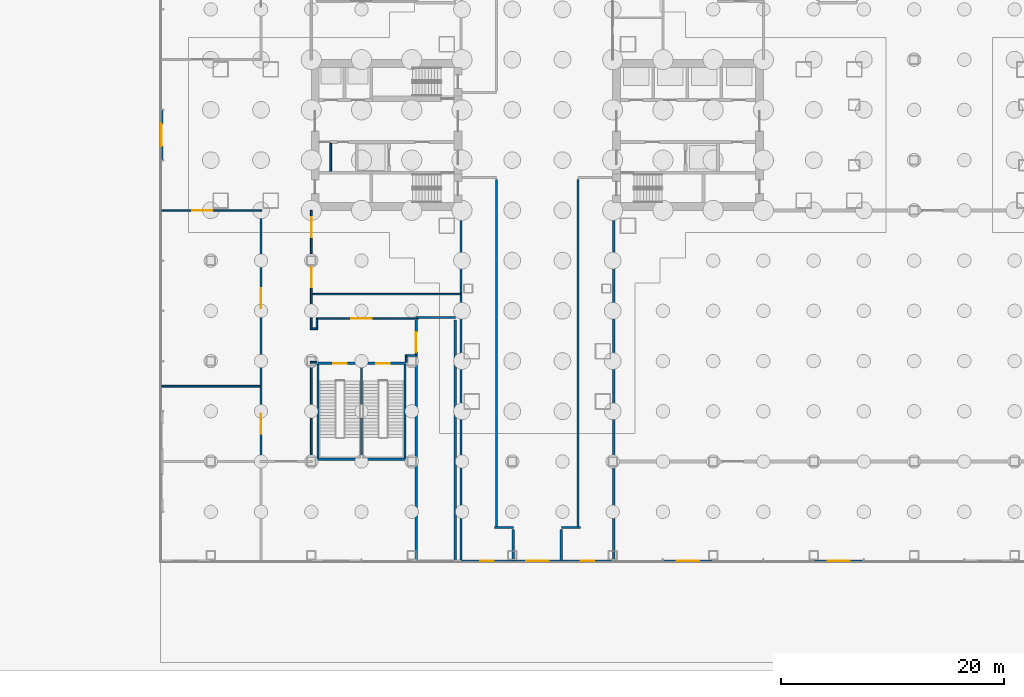
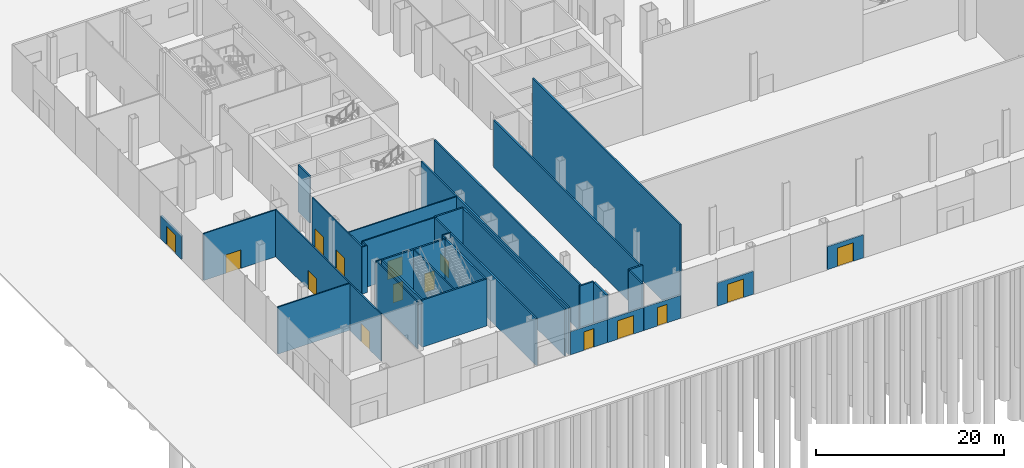
# One storey, part 17 of 37: 35 walls, 15 doors, 15 openings.
"""IFC4 building model written with IfcOpenShell, lengths in metres."""

import ifcopenshell
import ifcopenshell.guid

model = None  # the IFC model being written
_history = None  # IfcOwnerHistory: only IFC2X3 demands one
_inside = {}  # id of a spatial element -> (the spatial element, [elements in it])
_under = {}  # id of a project, library or spatial element -> (it, [spatial elements below it])
_declared = {}  # id of a project -> (the project, [libraries it declares])
_typed = {}  # id of a type object -> (the type object, [elements of that type])
_made_of = {}  # id of a material, layer set ... -> (it, [elements and type objects made of it])


def new_model(schema):
    """Start an empty IFC model of exactly this schema.

    Asked for "IFC4X3", IfcOpenShell would pick the latest addendum, in which some entities
    have other attributes; the version numbers below select the first issue.
    IFC2X3 requires an IfcOwnerHistory on every rooted entity: one is made here for all.
    """
    global model, _history
    if schema == "IFC4X3":
        model = ifcopenshell.file(schema_version=(4, 3, 0, 0))
    else:
        model = ifcopenshell.file(schema=schema)
    _inside.clear()
    _under.clear()
    _declared.clear()
    _typed.clear()
    _made_of.clear()
    _history = None
    if model.schema == "IFC2X3":
        org = make("IfcOrganization", Name="unknown")
        user = make(
            "IfcPersonAndOrganization",
            ThePerson=make("IfcPerson", FamilyName="unknown"),
            TheOrganization=org,
        )
        app = make(
            "IfcApplication",
            ApplicationDeveloper=org,
            Version="unknown",
            ApplicationFullName="unknown",
            ApplicationIdentifier="unknown",
        )
        _history = make(
            "IfcOwnerHistory",
            OwningUser=user,
            OwningApplication=app,
            ChangeAction="ADDED",
            CreationDate=0,
        )
    return model


def make(cls, **values):
    """One entity of the class cls with the attributes given. An attribute that is None is left unset."""
    return model.create_entity(
        cls, **{name: value for name, value in values.items() if value is not None}
    )


def rooted(cls, **values):
    """An entity with a GlobalId (a new one), such as an element, a storey or a relation."""
    return make(cls, GlobalId=ifcopenshell.guid.new(), OwnerHistory=_history, **values)


def si_unit(unit_type, name, prefix=None):
    """IfcSIUnit, for example si_unit("LENGTHUNIT", "METRE", prefix="MILLI")."""
    return make("IfcSIUnit", UnitType=unit_type, Prefix=prefix, Name=name)


def assignment(units):
    """IfcUnitAssignment: the units of a project."""
    return None if units is None else make("IfcUnitAssignment", Units=units)


def point(xyz):
    """IfcCartesianPoint."""
    return None if xyz is None else make("IfcCartesianPoint", Coordinates=xyz)


def direction(xyz):
    """IfcDirection."""
    return None if xyz is None else make("IfcDirection", DirectionRatios=xyz)


def frame(location, z_axis=None, x_axis=None):
    """IfcAxis2Placement3D, a coordinate frame: its origin and axes. An axis left out is left unset."""
    return make(
        "IfcAxis2Placement3D",
        Location=point(location),
        Axis=direction(z_axis),
        RefDirection=direction(x_axis),
    )


def frame_2d(location, x_axis=None):
    """IfcAxis2Placement2D, a coordinate frame in the plane: its origin and x axis."""
    return make(
        "IfcAxis2Placement2D", Location=point(location), RefDirection=direction(x_axis)
    )


def origin():
    """The frame at (0, 0, 0) with its axes left unset."""
    return frame((0.0, 0.0, 0.0))


def place(relative_to, where):
    """IfcLocalPlacement: puts the frame where relative to a parent placement (None: the world)."""
    return make(
        "IfcLocalPlacement", PlacementRelTo=relative_to, RelativePlacement=where
    )


def context(
    kind, dimensions, precision=None, world=None, true_north=None, identifier=None
):
    """IfcGeometricRepresentationContext, for example the 3D "Model" context."""
    return make(
        "IfcGeometricRepresentationContext",
        ContextIdentifier=identifier,
        ContextType=kind,
        CoordinateSpaceDimension=dimensions,
        Precision=precision,
        WorldCoordinateSystem=world,
        TrueNorth=true_north,
    )


def subcontext(parent, identifier, kind, view, scale=None):
    """IfcGeometricRepresentationSubContext, for example "Body" below "Model"."""
    return make(
        "IfcGeometricRepresentationSubContext",
        ContextIdentifier=identifier,
        ContextType=kind,
        ParentContext=parent,
        TargetScale=scale,
        TargetView=view,
    )


def project(units=None, contexts=None):
    """IfcProject with its units and contexts."""
    return rooted(
        "IfcProject",
        Name="project",
        RepresentationContexts=contexts,
        UnitsInContext=assignment(units),
    )


def spatial(cls, under=None, at=None, **own):
    """A site, building, storey or space (cls), placed at a placement, below another one or the project."""
    s = rooted(cls, ObjectPlacement=at, **own)
    if under is not None:
        _under.setdefault(under.id(), (under, []))[1].append(s)
    return s


def profile(cls, at=None, kind="AREA", **sizes):
    """A parametric profile (cls). Its sizes go by their IFC names, for example OverallWidth=200.0."""
    return make(cls, ProfileType=kind, Position=at, **sizes)


def rectangle(**sizes):
    """IfcRectangleProfileDef."""
    return profile("IfcRectangleProfileDef", **sizes)


def extrude(swept, where, along, depth):
    """IfcExtrudedAreaSolid: the profile swept, set in the frame where, extruded along a direction by depth."""
    return make(
        "IfcExtrudedAreaSolid",
        SweptArea=swept,
        Position=where,
        ExtrudedDirection=direction(along),
        Depth=depth,
    )


def shape(context_of_items, identifier, shape_type, items):
    """IfcShapeRepresentation: the items that make up one representation, for example the "Body"."""
    return make(
        "IfcShapeRepresentation",
        ContextOfItems=context_of_items,
        RepresentationIdentifier=identifier,
        RepresentationType=shape_type,
        Items=items,
    )


def material(Name=None, Category=None):
    """IfcMaterial."""
    return make("IfcMaterial", Name=Name, Category=Category)


def layer(
    of_material, thickness, ventilated=None, Name=None, Category=None, Priority=None
):
    """IfcMaterialLayer: one layer of a wall or slab, of a material (None: an air gap)."""
    return make(
        "IfcMaterialLayer",
        Material=of_material,
        LayerThickness=thickness,
        IsVentilated=ventilated,
        Name=Name,
        Category=Category,
        Priority=Priority,
    )


def layer_set(layers, Name=None):
    """IfcMaterialLayerSet."""
    return make("IfcMaterialLayerSet", MaterialLayers=layers, LayerSetName=Name)


def made_of(thing, what):
    """Note that an element or type object is made of a material, layer set ...; save() writes the relation."""
    if what is not None:
        _made_of.setdefault(what.id(), (what, []))[1].append(thing)
    return thing


def type_object(cls, material=None, **own):
    """A type object (cls), such as IfcWallType, which elements share."""
    return made_of(rooted(cls, **own), material)


def element(
    cls,
    number,
    at=None,
    inside=None,
    cuts=None,
    type_object=None,
    material=None,
    context=None,
    identifier="Body",
    shape_type=None,
    held_by="IfcProductDefinitionShape",
    body=None,
    shapes=None,
    **own,
):
    """One element of the class cls, such as IfcWall. Its Tag is "e" and its number.

    at: its placement. inside: the storey or other place that contains it. cuts: it is an
    opening in that element (IfcRelVoidsElement). A single representation is given by context,
    identifier, shape_type and body (its items); several are given by shapes. held_by: the class
    of the entity that holds the representations. save() writes the other relations.
    """
    e = rooted(cls, Tag="e%d" % number, ObjectPlacement=at, **own)
    if body is not None:
        shapes = [shape(context, identifier, shape_type, body)]
    if shapes is not None:
        e.Representation = make(held_by, Representations=shapes)
    if inside is not None:
        _inside.setdefault(inside.id(), (inside, []))[1].append(e)
    if cuts is not None:
        rooted(
            "IfcRelVoidsElement", RelatingBuildingElement=cuts, RelatedOpeningElement=e
        )
    if type_object is not None:
        _typed.setdefault(type_object.id(), (type_object, []))[1].append(e)
    return made_of(e, material)


def fill(opening, filler):
    """IfcRelFillsElement: the door or window that sits in an opening."""
    return rooted(
        "IfcRelFillsElement",
        RelatingOpeningElement=opening,
        RelatedBuildingElement=filler,
    )


def aggregate(whole, parts):
    """IfcRelAggregates: a whole, such as a stair, and the parts it consists of."""
    return rooted("IfcRelAggregates", RelatingObject=whole, RelatedObjects=parts)


def save(model, path):
    """Write the relations noted so far, then the file.

    IfcRelAggregates (storeys below a building ...), IfcRelContainedInSpatialStructure (elements
    in a storey), IfcRelDefinesByType, IfcRelAssociatesMaterial and IfcRelDeclares: one each for
    every whole, place, type object, material and project.
    """
    for whole, parts in _under.values():
        aggregate(whole, parts)
    for where, things in _inside.values():
        rooted(
            "IfcRelContainedInSpatialStructure",
            RelatedElements=things,
            RelatingStructure=where,
        )
    for kind, things in _typed.values():
        rooted("IfcRelDefinesByType", RelatedObjects=things, RelatingType=kind)
    for what, things in _made_of.values():
        rooted("IfcRelAssociatesMaterial", RelatedObjects=things, RelatingMaterial=what)
    for by, libraries in _declared.values():
        rooted("IfcRelDeclares", RelatingContext=by, RelatedDefinitions=libraries)
    model.write(path)


model = new_model("IFC4")

# Units and contexts
model_context = context("Model", 3, precision=1e-05, world=origin(), true_north=direction((0.0, 1.0)))
body_context = subcontext(model_context, "Body", "Model", "MODEL_VIEW")
ifc_project = project(units=[si_unit("LENGTHUNIT", "METRE"), si_unit("AREAUNIT", "SQUARE_METRE"), si_unit("VOLUMEUNIT", "CUBIC_METRE"), si_unit("PLANEANGLEUNIT", "RADIAN"), si_unit("MASSUNIT", "GRAM", prefix="KILO")], contexts=[model_context])

# Site, building, storey
site_placement = place(None, origin())
site = spatial("IfcSite", under=ifc_project, at=site_placement, CompositionType="ELEMENT")
building_placement = place(site_placement, origin())
building = spatial("IfcBuilding", under=site, at=building_placement, Name="Shamsa Quay Exchange Towers", CompositionType="ELEMENT")
storey_placement = place(building_placement, origin())
storey = spatial("IfcBuildingStorey", under=building, at=storey_placement, Name="L00", CompositionType="ELEMENT", Elevation=0.0)

# Wall, opening, door
ifc_material_1 = material(Name="Aluminium EN AW-6063 T6, black anodised, with black enamelled glass infill", Category="aluminium")
ifc_layer_1 = layer(ifc_material_1, 0.199951171875)
ifc_layer_set_1 = layer_set([ifc_layer_1], Name="ENTRANCE DOOR BAY WALL 200")
wall_type_1 = type_object("IfcWallType", Name="ENTRANCE DOOR BAY WALL 200", PredefinedType="SOLIDWALL", material=ifc_layer_set_1)
wall_1_placement = place(storey_placement, frame((-67.39990234375, -2.2099609375, 0.0), z_axis=(0.0, 0.0, 1.0), x_axis=(0.0, 1.0, 0.0)))
wall_1 = element("IfcWall", 1, at=wall_1_placement, inside=storey, type_object=wall_type_1, Name="Entrance bay Entrance 1", PredefinedType="SOLIDWALL", context=body_context, shape_type="SweptSolid", body=[
    extrude(rectangle(XDim=4.419921875, YDim=0.199951171875, at=frame_2d((2.2099609375, 0.0))), origin(), (0.0, 0.0, 1.0), 3.0),
])
opening_1_placement = place(wall_1_placement, frame((1.2099609375, 0.0, 0.0)))
opening_1 = element("IfcOpeningElement", 2, at=opening_1_placement, cuts=wall_1, Name="Opening XD019", PredefinedType="OPENING", context=body_context, shape_type="SweptSolid", body=[
    extrude(rectangle(XDim=2.0, YDim=2.39990234375, at=frame_2d((1.0, 1.199951171875))), frame((0.0, 0.10986328125, 0.0), z_axis=(0.0, -1.0, 0.0), x_axis=(1.0, 0.0, 0.0)), (0.0, 0.0, 1.0), 0.219970703125),
])
ifc_material_2 = material(Name="Aluminium EN AW-6063 T6, black anodised, with laminated glass leaves", Category="aluminium")
door_type_1 = type_object("IfcDoorType", Name="ENTRANCE DOOR 2000x2400", OperationType="DOUBLE_DOOR_SINGLE_SWING", PredefinedType="DOOR", material=ifc_material_2)
door_1_placement = place(opening_1_placement, origin())
door_1 = element("IfcDoor", 3, at=door_1_placement, inside=storey, type_object=door_type_1, Name="Entrance door Entrance 1", OperationType="DOUBLE_DOOR_SINGLE_SWING", OverallHeight=2.39990234375, OverallWidth=2.0, PredefinedType="DOOR", context=body_context, shape_type="SweptSolid", body=[
    extrude(rectangle(XDim=2.0, YDim=2.39990234375, at=frame_2d((1.0, 1.199951171875))), frame((0.0, 0.02490234375, 0.0), z_axis=(0.0, -1.0, 0.0), x_axis=(1.0, 0.0, 0.0)), (0.0, 0.0, 1.0), 0.050048828125),
])
fill(opening_1, door_1)

wall_2_placement = place(storey_placement, frame((-26.992919921875, -38.14990234375, 0.0), z_axis=(0.0, 0.0, 1.0), x_axis=(-1.0, 0.0, 0.0)))
wall_2 = element("IfcWall", 4, at=wall_2_placement, inside=storey, type_object=wall_type_1, Name="Entrance bay Service door 1", PredefinedType="SOLIDWALL", context=body_context, shape_type="SweptSolid", body=[
    extrude(rectangle(XDim=4.51416015625, YDim=0.199951171875, at=frame_2d((2.257080078125, 0.0))), origin(), (0.0, 0.0, 1.0), 3.0),
])
opening_2_placement = place(wall_2_placement, frame((1.656982421875, 0.0, 0.0)))
opening_2 = element("IfcOpeningElement", 5, at=opening_2_placement, cuts=wall_2, Name="Opening XD023", PredefinedType="OPENING", context=body_context, shape_type="SweptSolid", body=[
    extrude(rectangle(XDim=1.199951171875, YDim=2.39990234375, at=frame_2d((0.60009765625, 1.199951171875))), frame((0.0, 0.10986328125, 0.0), z_axis=(0.0, -1.0, 0.0), x_axis=(1.0, 0.0, 0.0)), (0.0, 0.0, 1.0), 0.219970703125),
])
door_type_2 = type_object("IfcDoorType", Name="SERVICE DOOR 1200x2400", OperationType="SINGLE_SWING_RIGHT", PredefinedType="DOOR", material=ifc_material_2)
door_2_placement = place(opening_2_placement, origin())
door_2 = element("IfcDoor", 6, at=door_2_placement, inside=storey, type_object=door_type_2, Name="Service door Service door 1", OperationType="SINGLE_SWING_RIGHT", OverallHeight=2.39990234375, OverallWidth=1.199951171875, PredefinedType="DOOR", context=body_context, shape_type="SweptSolid", body=[
    extrude(rectangle(XDim=1.199951171875, YDim=2.39990234375, at=frame_2d((0.60009765625, 1.199951171875))), frame((0.0, 0.02490234375, 0.0), z_axis=(0.0, -1.0, 0.0), x_axis=(1.0, 0.0, 0.0)), (0.0, 0.0, 1.0), 0.050048828125),
])
fill(opening_2, door_2)

wall_3_placement = place(storey_placement, frame((-35.992919921875, -38.14990234375, 0.0), z_axis=(0.0, 0.0, 1.0), x_axis=(-1.0, 0.0, 0.0)))
wall_3 = element("IfcWall", 7, at=wall_3_placement, inside=storey, type_object=wall_type_1, Name="Entrance bay Service door 2", PredefinedType="SOLIDWALL", context=body_context, shape_type="SweptSolid", body=[
    extrude(rectangle(XDim=4.51416015625, YDim=0.199951171875, at=frame_2d((2.257080078125, 0.0))), origin(), (0.0, 0.0, 1.0), 3.0),
])
opening_3_placement = place(wall_3_placement, frame((1.656982421875, 0.0, 0.0)))
opening_3 = element("IfcOpeningElement", 8, at=opening_3_placement, cuts=wall_3, Name="Opening XD024", PredefinedType="OPENING", context=body_context, shape_type="SweptSolid", body=[
    extrude(rectangle(XDim=1.199951171875, YDim=2.39990234375, at=frame_2d((0.60009765625, 1.199951171875))), frame((0.0, 0.10986328125, 0.0), z_axis=(0.0, -1.0, 0.0), x_axis=(1.0, 0.0, 0.0)), (0.0, 0.0, 1.0), 0.219970703125),
])
door_3_placement = place(opening_3_placement, origin())
door_3 = element("IfcDoor", 9, at=door_3_placement, inside=storey, type_object=door_type_2, Name="Service door Service door 2", OperationType="SINGLE_SWING_RIGHT", OverallHeight=2.39990234375, OverallWidth=1.199951171875, PredefinedType="DOOR", context=body_context, shape_type="SweptSolid", body=[
    extrude(rectangle(XDim=1.199951171875, YDim=2.39990234375, at=frame_2d((0.60009765625, 1.199951171875))), frame((0.0, 0.02490234375, 0.0), z_axis=(0.0, -1.0, 0.0), x_axis=(1.0, 0.0, 0.0)), (0.0, 0.0, 1.0), 0.050048828125),
])
fill(opening_3, door_3)

wall_4_placement = place(storey_placement, frame((-31.532958984375, -38.14990234375, 0.0), z_axis=(0.0, 0.0, 1.0), x_axis=(-1.0, 0.0, 0.0)))
wall_4 = element("IfcWall", 10, at=wall_4_placement, inside=storey, type_object=wall_type_1, Name="Entrance bay Entrance 3", PredefinedType="SOLIDWALL", context=body_context, shape_type="SweptSolid", body=[
    extrude(rectangle(XDim=4.43408203125, YDim=0.199951171875, at=frame_2d((2.217041015625, 0.0))), origin(), (0.0, 0.0, 1.0), 3.0),
])
opening_4_placement = place(wall_4_placement, frame((1.217041015625, 0.0, 0.0)))
opening_4 = element("IfcOpeningElement", 11, at=opening_4_placement, cuts=wall_4, Name="Opening XD025", PredefinedType="OPENING", context=body_context, shape_type="SweptSolid", body=[
    extrude(rectangle(XDim=2.0, YDim=2.39990234375, at=frame_2d((1.0, 1.199951171875))), frame((0.0, 0.10986328125, 0.0), z_axis=(0.0, -1.0, 0.0), x_axis=(1.0, 0.0, 0.0)), (0.0, 0.0, 1.0), 0.219970703125),
])
door_4_placement = place(opening_4_placement, origin())
door_4 = element("IfcDoor", 12, at=door_4_placement, inside=storey, type_object=door_type_1, Name="Entrance door Entrance 3", OperationType="DOUBLE_DOOR_SINGLE_SWING", OverallHeight=2.39990234375, OverallWidth=2.0, PredefinedType="DOOR", context=body_context, shape_type="SweptSolid", body=[
    extrude(rectangle(XDim=2.0, YDim=2.39990234375, at=frame_2d((1.0, 1.199951171875))), frame((0.0, 0.02490234375, 0.0), z_axis=(0.0, -1.0, 0.0), x_axis=(1.0, 0.0, 0.0)), (0.0, 0.0, 1.0), 0.050048828125),
])
fill(opening_4, door_4)

wall_5_placement = place(storey_placement, frame((-18.0400390625, -38.14990234375, 0.0), z_axis=(0.0, 0.0, 1.0), x_axis=(-1.0, 0.0, 0.0)))
wall_5 = element("IfcWall", 13, at=wall_5_placement, inside=storey, type_object=wall_type_1, Name="Entrance bay Entrance 5", PredefinedType="SOLIDWALL", context=body_context, shape_type="SweptSolid", body=[
    extrude(rectangle(XDim=4.419921875, YDim=0.199951171875, at=frame_2d((2.2099609375, 0.0))), origin(), (0.0, 0.0, 1.0), 3.0),
])
opening_5_placement = place(wall_5_placement, frame((1.2099609375, 0.0, 0.0)))
opening_5 = element("IfcOpeningElement", 14, at=opening_5_placement, cuts=wall_5, Name="Opening XD027", PredefinedType="OPENING", context=body_context, shape_type="SweptSolid", body=[
    extrude(rectangle(XDim=2.0, YDim=2.39990234375, at=frame_2d((1.0, 1.199951171875))), frame((0.0, 0.10986328125, 0.0), z_axis=(0.0, -1.0, 0.0), x_axis=(1.0, 0.0, 0.0)), (0.0, 0.0, 1.0), 0.219970703125),
])
door_5_placement = place(opening_5_placement, origin())
door_5 = element("IfcDoor", 15, at=door_5_placement, inside=storey, type_object=door_type_1, Name="Entrance door Entrance 5", OperationType="DOUBLE_DOOR_SINGLE_SWING", OverallHeight=2.39990234375, OverallWidth=2.0, PredefinedType="DOOR", context=body_context, shape_type="SweptSolid", body=[
    extrude(rectangle(XDim=2.0, YDim=2.39990234375, at=frame_2d((1.0, 1.199951171875))), frame((0.0, 0.02490234375, 0.0), z_axis=(0.0, -1.0, 0.0), x_axis=(1.0, 0.0, 0.0)), (0.0, 0.0, 1.0), 0.050048828125),
])
fill(opening_5, door_5)

wall_6_placement = place(storey_placement, frame((-4.5400390625, -38.14990234375, 0.0), z_axis=(0.0, 0.0, 1.0), x_axis=(-1.0, 0.0, 0.0)))
wall_6 = element("IfcWall", 16, at=wall_6_placement, inside=storey, type_object=wall_type_1, Name="Entrance bay Entrance 6", PredefinedType="SOLIDWALL", context=body_context, shape_type="SweptSolid", body=[
    extrude(rectangle(XDim=4.419921875, YDim=0.199951171875, at=frame_2d((2.2099609375, 0.0))), origin(), (0.0, 0.0, 1.0), 3.0),
])
opening_6_placement = place(wall_6_placement, frame((1.2099609375, 0.0, 0.0)))
opening_6 = element("IfcOpeningElement", 17, at=opening_6_placement, cuts=wall_6, Name="Opening XD028", PredefinedType="OPENING", context=body_context, shape_type="SweptSolid", body=[
    extrude(rectangle(XDim=2.0, YDim=2.39990234375, at=frame_2d((1.0, 1.199951171875))), frame((0.0, 0.10986328125, 0.0), z_axis=(0.0, -1.0, 0.0), x_axis=(1.0, 0.0, 0.0)), (0.0, 0.0, 1.0), 0.219970703125),
])
door_6_placement = place(opening_6_placement, origin())
door_6 = element("IfcDoor", 18, at=door_6_placement, inside=storey, type_object=door_type_1, Name="Entrance door Entrance 6", OperationType="DOUBLE_DOOR_SINGLE_SWING", OverallHeight=2.39990234375, OverallWidth=2.0, PredefinedType="DOOR", context=body_context, shape_type="SweptSolid", body=[
    extrude(rectangle(XDim=2.0, YDim=2.39990234375, at=frame_2d((1.0, 1.199951171875))), frame((0.0, 0.02490234375, 0.0), z_axis=(0.0, -1.0, 0.0), x_axis=(1.0, 0.0, 0.0)), (0.0, 0.0, 1.0), 0.050048828125),
])
fill(opening_6, door_6)

# Wall
ifc_material_3 = material(Name="Gypsum board on steel studs, EI 60", Category="steel")
ifc_layer_2 = layer(ifc_material_3, 0.14990234375)
ifc_layer_set_2 = layer_set([ifc_layer_2], Name="FIRE PARTITION 150")
wall_type_2 = type_object("IfcWallType", Name="FIRE PARTITION 150", PredefinedType="PARTITIONING", material=ifc_layer_set_2)
wall_7_placement = place(storey_placement, frame((-52.25, -3.25, 0.0), z_axis=(0.0, 0.0, 1.0), x_axis=(0.0, 1.0, 0.0)))
element("IfcWall", 19, at=wall_7_placement, inside=storey, type_object=wall_type_2, Name="Partition T1B-L00-EC0", PredefinedType="PARTITIONING", context=body_context, shape_type="SweptSolid", body=[
    extrude(rectangle(XDim=2.5, YDim=0.14990234375, at=frame_2d((1.25, 0.0))), origin(), (0.0, 0.0, 1.0), 6.10009765625),
])

# Wall, opening, door
ifc_material_4 = material(Name="Gypsum board partition on metal studs")
ifc_layer_3 = layer(ifc_material_4, 0.14990234375)
ifc_layer_set_3 = layer_set([ifc_layer_3], Name="Partition 150 mm EI 60")
wall_type_3 = type_object("IfcWallType", Name="Partition 150 mm EI 60", PredefinedType="PARTITIONING", material=ifc_layer_set_3)
wall_8_placement = place(storey_placement, frame((-67.405029296875, -6.75, 0.0)))
wall_8 = element("IfcWall", 20, at=wall_8_placement, inside=storey, type_object=wall_type_3, Name="Partition PD-L00-W66", PredefinedType="PARTITIONING", context=body_context, shape_type="SweptSolid", body=[
    extrude(rectangle(XDim=8.97998046875, YDim=0.14990234375, at=frame_2d((4.489990234375, 0.0))), origin(), (0.0, 0.0, 1.0), 6.10009765625),
])
opening_7_placement = place(wall_8_placement, frame((2.7548828125, 0.0, 0.0)))
opening_7 = element("IfcOpeningElement", 21, at=opening_7_placement, cuts=wall_8, Name="Opening PD-L00-D01", PredefinedType="OPENING", context=body_context, shape_type="SweptSolid", body=[
    extrude(rectangle(XDim=1.800048828125, YDim=2.39990234375, at=frame_2d((0.89990234375, 1.199951171875))), frame((0.0, 0.0849609375, 0.0), z_axis=(0.0, -1.0, 0.0), x_axis=(1.0, 0.0, 0.0)), (0.0, 0.0, 1.0), 0.169921875),
])
ifc_material_5 = material(Name="Timber door leaf in a metal frame", Category="wood")
door_type_3 = type_object("IfcDoorType", Name="Door 1800x2400 FD30S pair", OperationType="NOTDEFINED", PredefinedType="DOOR", material=ifc_material_5)
door_7_placement = place(opening_7_placement, origin())
door_7 = element("IfcDoor", 22, at=door_7_placement, inside=storey, type_object=door_type_3, Name="Door PD-L00-D01", OperationType="DOUBLE_DOOR_SINGLE_SWING", OverallHeight=2.39990234375, OverallWidth=1.800048828125, PredefinedType="DOOR", context=body_context, shape_type="SweptSolid", body=[
    extrude(rectangle(XDim=1.800048828125, YDim=2.39990234375, at=frame_2d((0.89990234375, 1.199951171875))), frame((0.0, 0.02490234375, 0.0), z_axis=(0.0, -1.0, 0.0), x_axis=(1.0, 0.0, 0.0)), (0.0, 0.0, 1.0), 0.050048828125),
])
fill(opening_7, door_7)

# Wall
wall_9_placement = place(storey_placement, frame((-54.0, -29.175048828125, 0.0), z_axis=(0.0, 0.0, 1.0), x_axis=(0.0, 1.0, 0.0)))
element("IfcWall", 23, at=wall_9_placement, inside=storey, type_object=wall_type_3, Name="Partition PD-L00-W67", PredefinedType="PARTITIONING", context=body_context, shape_type="SweptSolid", body=[
    extrude(rectangle(XDim=8.75048828125, YDim=0.14990234375, at=frame_2d((4.375244140625, 0.0))), origin(), (0.0, 0.0, 1.0), 6.10009765625),
])

# Wall, openings, doors
wall_10_placement = place(storey_placement, frame((-54.0, -17.274658203125, 0.0), z_axis=(0.0, 0.0, 1.0), x_axis=(0.0, 1.0, 0.0)))
wall_10 = element("IfcWall", 24, at=wall_10_placement, inside=storey, type_object=wall_type_3, Name="Partition PD-L00-W68", PredefinedType="PARTITIONING", context=body_context, shape_type="SweptSolid", body=[
    extrude(rectangle(XDim=10.524658203125, YDim=0.14990234375, at=frame_2d((5.26220703125, 0.0))), origin(), (0.0, 0.0, 1.0), 6.10009765625),
])
opening_8_placement = place(wall_10_placement, frame((3.62451171875, 0.0, 0.0)))
opening_8 = element("IfcOpeningElement", 25, at=opening_8_placement, cuts=wall_10, Name="Opening PD-L00-D08", PredefinedType="OPENING", context=body_context, shape_type="SweptSolid", body=[
    extrude(rectangle(XDim=1.800048828125, YDim=2.39990234375, at=frame_2d((0.89990234375, 1.199951171875))), frame((0.0, 0.0849609375, 0.0), z_axis=(0.0, -1.0, 0.0), x_axis=(1.0, 0.0, 0.0)), (0.0, 0.0, 1.0), 0.169921875),
])
opening_9_placement = place(wall_10_placement, frame((8.12451171875, 0.0, 0.0)))
opening_9 = element("IfcOpeningElement", 26, at=opening_9_placement, cuts=wall_10, Name="Opening PD-L00-D09", PredefinedType="OPENING", context=body_context, shape_type="SweptSolid", body=[
    extrude(rectangle(XDim=1.800048828125, YDim=2.39990234375, at=frame_2d((0.89990234375, 1.199951171875))), frame((0.0, 0.0849609375, 0.0), z_axis=(0.0, -1.0, 0.0), x_axis=(1.0, 0.0, 0.0)), (0.0, 0.0, 1.0), 0.169921875),
])
door_8_placement = place(opening_8_placement, origin())
door_8 = element("IfcDoor", 27, at=door_8_placement, inside=storey, type_object=door_type_3, Name="Door PD-L00-D08", OperationType="DOUBLE_DOOR_SINGLE_SWING", OverallHeight=2.39990234375, OverallWidth=1.800048828125, PredefinedType="DOOR", context=body_context, shape_type="SweptSolid", body=[
    extrude(rectangle(XDim=1.800048828125, YDim=2.39990234375, at=frame_2d((0.89990234375, 1.199951171875))), frame((0.0, 0.02490234375, 0.0), z_axis=(0.0, -1.0, 0.0), x_axis=(1.0, 0.0, 0.0)), (0.0, 0.0, 1.0), 0.050048828125),
])
fill(opening_8, door_8)
door_9_placement = place(opening_9_placement, origin())
door_9 = element("IfcDoor", 28, at=door_9_placement, inside=storey, type_object=door_type_3, Name="Door PD-L00-D09", OperationType="DOUBLE_DOOR_SINGLE_SWING", OverallHeight=2.39990234375, OverallWidth=1.800048828125, PredefinedType="DOOR", context=body_context, shape_type="SweptSolid", body=[
    extrude(rectangle(XDim=1.800048828125, YDim=2.39990234375, at=frame_2d((0.89990234375, 1.199951171875))), frame((0.0, 0.02490234375, 0.0), z_axis=(0.0, -1.0, 0.0), x_axis=(1.0, 0.0, 0.0)), (0.0, 0.0, 1.0), 0.050048828125),
])
fill(opening_9, door_9)

wall_11_placement = place(storey_placement, frame((-58.5, -6.824951171875, 0.0), z_axis=(0.0, 0.0, 1.0), x_axis=(0.0, -1.0, 0.0)))
wall_11 = element("IfcWall", 29, at=wall_11_placement, inside=storey, type_object=wall_type_3, Name="Partition PD-L00-W72", PredefinedType="PARTITIONING", context=body_context, shape_type="SweptSolid", body=[
    extrude(rectangle(XDim=22.35009765625, YDim=0.14990234375, at=frame_2d((11.175048828125, 0.0))), origin(), (0.0, 0.0, 1.0), 6.10009765625),
])
opening_10_placement = place(wall_11_placement, frame((6.89990234375, 0.0, 0.0)))
opening_10 = element("IfcOpeningElement", 30, at=opening_10_placement, cuts=wall_11, Name="Opening PD-L00-D03", PredefinedType="OPENING", context=body_context, shape_type="SweptSolid", body=[
    extrude(rectangle(XDim=1.800048828125, YDim=2.39990234375, at=frame_2d((0.89990234375, 1.199951171875))), frame((0.0, 0.0849609375, 0.0), z_axis=(0.0, -1.0, 0.0), x_axis=(1.0, 0.0, 0.0)), (0.0, 0.0, 1.0), 0.169921875),
])
opening_11_placement = place(wall_11_placement, frame((18.14990234375, 0.0, 0.0)))
opening_11 = element("IfcOpeningElement", 31, at=opening_11_placement, cuts=wall_11, Name="Opening PD-L00-D04", PredefinedType="OPENING", context=body_context, shape_type="SweptSolid", body=[
    extrude(rectangle(XDim=1.800048828125, YDim=2.39990234375, at=frame_2d((0.89990234375, 1.199951171875))), frame((0.0, 0.0849609375, 0.0), z_axis=(0.0, -1.0, 0.0), x_axis=(1.0, 0.0, 0.0)), (0.0, 0.0, 1.0), 0.169921875),
])
door_10_placement = place(opening_10_placement, origin())
door_10 = element("IfcDoor", 32, at=door_10_placement, inside=storey, type_object=door_type_3, Name="Door PD-L00-D03", OperationType="DOUBLE_DOOR_SINGLE_SWING", OverallHeight=2.39990234375, OverallWidth=1.800048828125, PredefinedType="DOOR", context=body_context, shape_type="SweptSolid", body=[
    extrude(rectangle(XDim=1.800048828125, YDim=2.39990234375, at=frame_2d((0.89990234375, 1.199951171875))), frame((0.0, 0.02490234375, 0.0), z_axis=(0.0, -1.0, 0.0), x_axis=(1.0, 0.0, 0.0)), (0.0, 0.0, 1.0), 0.050048828125),
])
fill(opening_10, door_10)
door_11_placement = place(opening_11_placement, origin())
door_11 = element("IfcDoor", 33, at=door_11_placement, inside=storey, type_object=door_type_3, Name="Door PD-L00-D04", OperationType="DOUBLE_DOOR_SINGLE_SWING", OverallHeight=2.39990234375, OverallWidth=1.800048828125, PredefinedType="DOOR", context=body_context, shape_type="SweptSolid", body=[
    extrude(rectangle(XDim=1.800048828125, YDim=2.39990234375, at=frame_2d((0.89990234375, 1.199951171875))), frame((0.0, 0.02490234375, 0.0), z_axis=(0.0, -1.0, 0.0), x_axis=(1.0, 0.0, 0.0)), (0.0, 0.0, 1.0), 0.050048828125),
])
fill(opening_11, door_11)

# Walls
wall_12_placement = place(storey_placement, frame((-53.5, -16.525146484375, 0.0), z_axis=(0.0, 0.0, 1.0), x_axis=(0.0, -1.0, 0.0)))
element("IfcWall", 34, at=wall_12_placement, inside=storey, type_object=wall_type_3, Name="Partition PD-L00-W77", PredefinedType="PARTITIONING", context=body_context, shape_type="SweptSolid", body=[
    extrude(rectangle(XDim=0.74951171875, YDim=0.14990234375, at=frame_2d((0.374755859375, 0.0))), origin(), (0.0, 0.0, 1.0), 6.10009765625),
])
wall_13_placement = place(storey_placement, frame((-45.574951171875, -19.75, 0.0)))
element("IfcWall", 35, at=wall_13_placement, inside=storey, type_object=wall_type_3, Name="Partition PD-L00-W87", PredefinedType="PARTITIONING", context=body_context, shape_type="SweptSolid", body=[
    extrude(rectangle(XDim=0.974853515625, YDim=0.14990234375, at=frame_2d((0.4873046875, 0.0))), origin(), (0.0, 0.0, 1.0), 6.10009765625),
])
wall_14_placement = place(storey_placement, frame((-45.5, -20.349609375, 0.0), z_axis=(0.0, 0.0, 1.0), x_axis=(0.0, 1.0, 0.0)))
element("IfcWall", 36, at=wall_14_placement, inside=storey, type_object=wall_type_3, Name="Partition PD-L00-W88", PredefinedType="PARTITIONING", context=body_context, shape_type="SweptSolid", body=[
    extrude(rectangle(XDim=0.524658203125, YDim=0.14990234375, at=frame_2d((0.26220703125, 0.0))), origin(), (0.0, 0.0, 1.0), 6.10009765625),
])
wall_15_placement = place(storey_placement, frame((-54.074951171875, -20.349609375, 0.0)))
element("IfcWall", 37, at=wall_15_placement, inside=storey, type_object=wall_type_3, Name="Partition PD-L00-W89", PredefinedType="PARTITIONING", context=body_context, shape_type="SweptSolid", body=[
    extrude(rectangle(XDim=0.574951171875, YDim=0.14990234375, at=frame_2d((0.28759765625, 0.0))), origin(), (0.0, 0.0, 1.0), 6.10009765625),
])

# Wall, opening, door
wall_16_placement = place(storey_placement, frame((-44.39990234375, -16.4501953125, 0.0), z_axis=(0.0, 0.0, 1.0), x_axis=(-1.0, 0.0, 0.0)))
wall_16 = element("IfcWall", 38, at=wall_16_placement, inside=storey, type_object=wall_type_3, Name="Partition PD-L00-W91", PredefinedType="PARTITIONING", context=body_context, shape_type="SweptSolid", body=[
    extrude(rectangle(XDim=9.175048828125, YDim=0.14990234375, at=frame_2d((4.58740234375, 0.0))), origin(), (0.0, 0.0, 1.0), 6.10009765625),
])
opening_12_placement = place(wall_16_placement, frame((4.199951171875, 0.0, 0.0)))
opening_12 = element("IfcOpeningElement", 39, at=opening_12_placement, cuts=wall_16, Name="Opening PD-L00-D14", PredefinedType="OPENING", context=body_context, shape_type="SweptSolid", body=[
    extrude(rectangle(XDim=1.800048828125, YDim=2.39990234375, at=frame_2d((0.89990234375, 1.199951171875))), frame((0.0, 0.0849609375, 0.0), z_axis=(0.0, -1.0, 0.0), x_axis=(1.0, 0.0, 0.0)), (0.0, 0.0, 1.0), 0.169921875),
])
door_12_placement = place(opening_12_placement, origin())
door_12 = element("IfcDoor", 40, at=door_12_placement, inside=storey, type_object=door_type_3, Name="Door PD-L00-D14", OperationType="DOUBLE_DOOR_SINGLE_SWING", OverallHeight=2.39990234375, OverallWidth=1.800048828125, PredefinedType="DOOR", context=body_context, shape_type="SweptSolid", body=[
    extrude(rectangle(XDim=1.800048828125, YDim=2.39990234375, at=frame_2d((0.89990234375, 1.199951171875))), frame((0.0, 0.02490234375, 0.0), z_axis=(0.0, -1.0, 0.0), x_axis=(1.0, 0.0, 0.0)), (0.0, 0.0, 1.0), 0.050048828125),
])
fill(opening_12, door_12)

# Walls
wall_17_placement = place(storey_placement, frame((-53.425048828125, -17.349609375, 0.0), z_axis=(0.0, 0.0, 1.0), x_axis=(-1.0, 0.0, 0.0)))
element("IfcWall", 41, at=wall_17_placement, inside=storey, type_object=wall_type_3, Name="Partition PD-L00-W93", PredefinedType="PARTITIONING", context=body_context, shape_type="SweptSolid", body=[
    extrude(rectangle(XDim=0.64990234375, YDim=0.14990234375, at=frame_2d((0.324951171875, 0.0))), origin(), (0.0, 0.0, 1.0), 6.10009765625),
])
wall_18_placement = place(storey_placement, frame((-40.60009765625, -14.25, 0.0), z_axis=(0.0, 0.0, 1.0), x_axis=(-1.0, 0.0, 0.0)))
element("IfcWall", 42, at=wall_18_placement, inside=storey, type_object=wall_type_3, Name="Partition PD-L00-W100", PredefinedType="PARTITIONING", context=body_context, shape_type="SweptSolid", body=[
    extrude(rectangle(XDim=13.324951171875, YDim=0.14990234375, at=frame_2d((6.66259765625, 0.0))), origin(), (0.0, 0.0, 1.0), 6.10009765625),
])
wall_19_placement = place(storey_placement, frame((-58.574951171875, -22.5, 0.0), z_axis=(0.0, 0.0, 1.0), x_axis=(-1.0, 0.0, 0.0)))
element("IfcWall", 43, at=wall_19_placement, inside=storey, type_object=wall_type_3, Name="Partition PD-L00-W101", PredefinedType="PARTITIONING", context=body_context, shape_type="SweptSolid", body=[
    extrude(rectangle(XDim=8.830078125, YDim=0.14990234375, at=frame_2d((4.4150390625, 0.0))), origin(), (0.0, 0.0, 1.0), 6.10009765625),
])
ifc_layer_4 = layer(ifc_material_4, 0.199951171875)
ifc_layer_set_4 = layer_set([ifc_layer_4], Name="Partition 200 mm EI 120")
wall_type_4 = type_object("IfcWallType", Name="Partition 200 mm EI 120", PredefinedType="PARTITIONING", material=ifc_layer_set_4)
wall_20_placement = place(storey_placement, frame((-31.60009765625, -35.35009765625, 0.0), z_axis=(0.0, 0.0, 1.0), x_axis=(0.0, -1.0, 0.0)))
element("IfcWall", 44, at=wall_20_placement, inside=storey, type_object=wall_type_4, Name="Partition PD-L00-W01", PredefinedType="PARTITIONING", context=body_context, shape_type="SweptSolid", body=[
    extrude(rectangle(XDim=2.804931640625, YDim=0.199951171875, at=frame_2d((1.40234375, 0.0))), origin(), (0.0, 0.0, 1.0), 6.10009765625),
])
for number, where, z_axis, x_axis, name in (
    (45, (-29.89990234375, -35.14990234375, 0.0), (0.0, 0.0, 1.0), (-1.0, 0.0, 0.0), "Partition PD-L00-W02"),
    (46, (-35.89990234375, -35.14990234375, 0.0), (0.0, 0.0, 1.0), (-1.0, 0.0, 0.0), "Partition PD-L00-W03"),
):
    element("IfcWall", number, at=place(storey_placement, frame(where, z_axis=z_axis, x_axis=x_axis)), inside=storey, type_object=wall_type_4, Name=name, PredefinedType="PARTITIONING", context=body_context, shape_type="SweptSolid", body=[
        extrude(rectangle(XDim=1.7001953125, YDim=0.199951171875, at=frame_2d((0.85009765625, 0.0))), origin(), (0.0, 0.0, 1.0), 6.10009765625),
    ])
wall_21_placement = place(storey_placement, frame((-30.10009765625, -4.00048828125, 0.0), z_axis=(0.0, 0.0, 1.0), x_axis=(0.0, -1.0, 0.0)))
element("IfcWall", 47, at=wall_21_placement, inside=storey, type_object=wall_type_4, Name="Partition PD-L00-W04", PredefinedType="PARTITIONING", context=body_context, shape_type="SweptSolid", body=[
    extrude(rectangle(XDim=31.1494140625, YDim=0.199951171875, at=frame_2d((15.57470703125, 0.0))), origin(), (0.0, 0.0, 1.0), 6.10009765625),
])
wall_22_placement = place(storey_placement, frame((-26.89990234375, -38.155029296875, 0.0), z_axis=(0.0, 0.0, 1.0), x_axis=(0.0, 1.0, 0.0)))
element("IfcWall", 48, at=wall_22_placement, inside=storey, type_object=wall_type_4, Name="Partition PD-L00-W07", PredefinedType="PARTITIONING", context=body_context, shape_type="SweptSolid", body=[
    extrude(rectangle(XDim=31.405029296875, YDim=0.199951171875, at=frame_2d((15.70263671875, 0.0))), origin(), (0.0, 0.0, 1.0), 12.10009765625),
])
wall_23_placement = place(storey_placement, frame((-37.39990234375, -35.14990234375, 0.0), z_axis=(0.0, 0.0, 1.0), x_axis=(0.0, 1.0, 0.0)))
element("IfcWall", 49, at=wall_23_placement, inside=storey, type_object=wall_type_4, Name="Partition PD-L00-W08", PredefinedType="PARTITIONING", context=body_context, shape_type="SweptSolid", body=[
    extrude(rectangle(XDim=31.1494140625, YDim=0.199951171875, at=frame_2d((15.57470703125, 0.0))), origin(), (0.0, 0.0, 1.0), 6.10009765625),
])
wall_24_placement = place(storey_placement, frame((-35.89990234375, -38.155029296875, 0.0), z_axis=(0.0, 0.0, 1.0), x_axis=(0.0, 1.0, 0.0)))
element("IfcWall", 50, at=wall_24_placement, inside=storey, type_object=wall_type_4, Name="Partition PD-L00-W10", PredefinedType="PARTITIONING", context=body_context, shape_type="SweptSolid", body=[
    extrude(rectangle(XDim=2.804931640625, YDim=0.199951171875, at=frame_2d((1.40234375, 0.0))), origin(), (0.0, 0.0, 1.0), 6.10009765625),
])
wall_25_placement = place(storey_placement, frame((-40.60009765625, -6.75, 0.0), z_axis=(0.0, 0.0, 1.0), x_axis=(0.0, -1.0, 0.0)))
element("IfcWall", 51, at=wall_25_placement, inside=storey, type_object=wall_type_4, Name="Partition PD-L00-W13", PredefinedType="PARTITIONING", context=body_context, shape_type="SweptSolid", body=[
    extrude(rectangle(XDim=31.405029296875, YDim=0.199951171875, at=frame_2d((15.70263671875, 0.0))), origin(), (0.0, 0.0, 1.0), 6.10009765625),
])

# Wall, opening, door
wall_26_placement = place(storey_placement, frame((-44.60009765625, -16.55029296875, 0.0), z_axis=(0.0, 0.0, 1.0), x_axis=(0.0, -1.0, 0.0)))
wall_26 = element("IfcWall", 52, at=wall_26_placement, inside=storey, type_object=wall_type_4, Name="Partition PD-L00-W25", PredefinedType="PARTITIONING", context=body_context, shape_type="SweptSolid", body=[
    extrude(rectangle(XDim=21.604736328125, YDim=0.199951171875, at=frame_2d((10.80224609375, 0.0))), origin(), (0.0, 0.0, 1.0), 6.10009765625),
])
opening_13_placement = place(wall_26_placement, frame((1.099853515625, 0.0, 0.0)))
opening_13 = element("IfcOpeningElement", 53, at=opening_13_placement, cuts=wall_26, Name="Opening PD-L00-D12", PredefinedType="OPENING", context=body_context, shape_type="SweptSolid", body=[
    extrude(rectangle(XDim=1.800048828125, YDim=2.10009765625, at=frame_2d((0.89990234375, 1.050048828125))), frame((0.0, 0.10986328125, 0.0), z_axis=(0.0, -1.0, 0.0), x_axis=(1.0, 0.0, 0.0)), (0.0, 0.0, 1.0), 0.219970703125),
])
door_type_4 = type_object("IfcDoorType", Name="Door 1800x2100 FD90 pair", OperationType="NOTDEFINED", PredefinedType="DOOR", material=ifc_material_5)
door_13_placement = place(opening_13_placement, origin())
door_13 = element("IfcDoor", 54, at=door_13_placement, inside=storey, type_object=door_type_4, Name="Door PD-L00-D12", OperationType="DOUBLE_DOOR_SINGLE_SWING", OverallHeight=2.10009765625, OverallWidth=1.800048828125, PredefinedType="DOOR", context=body_context, shape_type="SweptSolid", body=[
    extrude(rectangle(XDim=1.800048828125, YDim=2.10009765625, at=frame_2d((0.89990234375, 1.050048828125))), frame((0.0, 0.02490234375, 0.0), z_axis=(0.0, -1.0, 0.0), x_axis=(1.0, 0.0, 0.0)), (0.0, 0.0, 1.0), 0.050048828125),
])
fill(opening_13, door_13)

# Walls
wall_27_placement = place(storey_placement, frame((-41.10009765625, -38.155029296875, 0.0), z_axis=(0.0, 0.0, 1.0), x_axis=(0.0, 1.0, 0.0)))
element("IfcWall", 55, at=wall_27_placement, inside=storey, type_object=wall_type_4, Name="Partition PD-L00-W30", PredefinedType="PARTITIONING", context=body_context, shape_type="SweptSolid", body=[
    extrude(rectangle(XDim=21.604736328125, YDim=0.199951171875, at=frame_2d((10.80224609375, 0.0))), origin(), (0.0, 0.0, 1.0), 6.10009765625),
])
wall_28_placement = place(storey_placement, frame((-41.10009765625, -16.35009765625, 0.0), z_axis=(0.0, 0.0, 1.0), x_axis=(-1.0, 0.0, 0.0)))
element("IfcWall", 56, at=wall_28_placement, inside=storey, type_object=wall_type_4, Name="Partition PD-L00-W41", PredefinedType="PARTITIONING", context=body_context, shape_type="SweptSolid", body=[
    extrude(rectangle(XDim=3.5, YDim=0.199951171875, at=frame_2d((1.75, 0.0))), origin(), (0.0, 0.0, 1.0), 6.10009765625),
])

# Wall, openings, doors
ifc_material_6 = material(Name="Concrete C50/60", Category="concrete")
ifc_layer_5 = layer(ifc_material_6, 0.199951171875)
ifc_layer_set_5 = layer_set([ifc_layer_5], Name="STAIR ENCLOSURE WALL 200 C50/60")
wall_type_5 = type_object("IfcWallType", Name="STAIR ENCLOSURE WALL 200 C50/60", PredefinedType="SHEAR", material=ifc_layer_set_5)
wall_29_placement = place(storey_placement, frame((-45.5, -20.449951171875, 0.0), z_axis=(0.0, 0.0, 1.0), x_axis=(-1.0, 0.0, 0.0)))
wall_29 = element("IfcWall", 57, at=wall_29_placement, inside=storey, type_object=wall_type_5, Name="Stair enclosure wall PS5 inward", PredefinedType="SHEAR", context=body_context, shape_type="SweptSolid", body=[
    extrude(rectangle(XDim=8.0, YDim=0.199951171875, at=frame_2d((4.0, 0.0))), origin(), (0.0, 0.0, 1.0), 6.10009765625),
])
opening_14_placement = place(wall_29_placement, frame((5.33740234375, 0.0, 0.0)))
opening_14 = element("IfcOpeningElement", 58, at=opening_14_placement, cuts=wall_29, Name="Opening PS5A-L00-SD01", PredefinedType="OPENING", context=body_context, shape_type="SweptSolid", body=[
    extrude(rectangle(XDim=1.199951171875, YDim=2.39990234375, at=frame_2d((0.60009765625, 1.199951171875))), frame((0.0, 0.10986328125, 0.0), z_axis=(0.0, -1.0, 0.0), x_axis=(1.0, 0.0, 0.0)), (0.0, 0.0, 1.0), 0.219970703125),
])
opening_15_placement = place(wall_29_placement, frame((1.46240234375, 0.0, 0.0)))
opening_15 = element("IfcOpeningElement", 59, at=opening_15_placement, cuts=wall_29, Name="Opening PS5B-L00-SD01", PredefinedType="OPENING", context=body_context, shape_type="SweptSolid", body=[
    extrude(rectangle(XDim=1.199951171875, YDim=2.39990234375, at=frame_2d((0.60009765625, 1.199951171875))), frame((0.0, 0.10986328125, 0.0), z_axis=(0.0, -1.0, 0.0), x_axis=(1.0, 0.0, 0.0)), (0.0, 0.0, 1.0), 0.219970703125),
])
ifc_material_7 = material(Name="Steel, fire rated", Category="steel")
door_type_5 = type_object("IfcDoorType", Name="PODIUM STAIR DOOR 1200", OperationType="SINGLE_SWING_LEFT", PredefinedType="DOOR", material=ifc_material_7)
door_14_placement = place(opening_14_placement, origin())
door_14 = element("IfcDoor", 60, at=door_14_placement, inside=storey, type_object=door_type_5, Name="PS5A-L00-SD01", OperationType="SINGLE_SWING_LEFT", OverallHeight=2.39990234375, OverallWidth=1.199951171875, PredefinedType="DOOR", context=body_context, shape_type="SweptSolid", body=[
    extrude(rectangle(XDim=1.199951171875, YDim=2.39990234375, at=frame_2d((0.60009765625, 1.199951171875))), frame((0.0, 0.02490234375, 0.0), z_axis=(0.0, -1.0, 0.0), x_axis=(1.0, 0.0, 0.0)), (0.0, 0.0, 1.0), 0.050048828125),
])
fill(opening_14, door_14)
door_15_placement = place(opening_15_placement, origin())
door_15 = element("IfcDoor", 61, at=door_15_placement, inside=storey, type_object=door_type_5, Name="PS5B-L00-SD01", OperationType="SINGLE_SWING_RIGHT", OverallHeight=2.39990234375, OverallWidth=1.199951171875, PredefinedType="DOOR", context=body_context, shape_type="SweptSolid", body=[
    extrude(rectangle(XDim=1.199951171875, YDim=2.39990234375, at=frame_2d((0.60009765625, 1.199951171875))), frame((0.0, 0.02490234375, 0.0), z_axis=(0.0, -1.0, 0.0), x_axis=(1.0, 0.0, 0.0)), (0.0, 0.0, 1.0), 0.050048828125),
])
fill(opening_15, door_15)

# Walls
wall_30_placement = place(storey_placement, frame((-53.5, -29.050048828125, 0.0)))
element("IfcWall", 62, at=wall_30_placement, inside=storey, type_object=wall_type_5, Name="Stair enclosure wall PS5 outward", PredefinedType="SHEAR", context=body_context, shape_type="SweptSolid", body=[
    extrude(rectangle(XDim=8.0, YDim=0.199951171875, at=frame_2d((4.0, 0.0))), origin(), (0.0, 0.0, 1.0), 6.10009765625),
])
for number, where, z_axis, x_axis, name in (
    (63, (-53.39990234375, -28.949951171875, 0.0), (0.0, 0.0, 1.0), (0.0, 1.0, 0.0), "Stair enclosure wall PS5 west"),
    (64, (-45.60009765625, -28.949951171875, 0.0), (0.0, 0.0, 1.0), (0.0, 1.0, 0.0), "Stair enclosure wall PS5 east"),
):
    element("IfcWall", number, at=place(storey_placement, frame(where, z_axis=z_axis, x_axis=x_axis)), inside=storey, type_object=wall_type_5, Name=name, PredefinedType="SHEAR", context=body_context, shape_type="SweptSolid", body=[
        extrude(rectangle(XDim=8.39990234375, YDim=0.199951171875, at=frame_2d((4.199951171875, 0.0))), origin(), (0.0, 0.0, 1.0), 6.10009765625),
    ])
ifc_layer_6 = layer(ifc_material_6, 0.14990234375)
ifc_layer_set_6 = layer_set([ifc_layer_6], Name="STAIR PARTITION WALL 150 C50/60")
wall_type_6 = type_object("IfcWallType", Name="STAIR PARTITION WALL 150 C50/60", PredefinedType="SHEAR", material=ifc_layer_set_6)
wall_31_placement = place(storey_placement, frame((-49.5, -28.949951171875, 0.0), z_axis=(0.0, 0.0, 1.0), x_axis=(0.0, 1.0, 0.0)))
element("IfcWall", 65, at=wall_31_placement, inside=storey, type_object=wall_type_6, Name="Stair enclosure wall PS5 between the stairs", PredefinedType="SHEAR", context=body_context, shape_type="SweptSolid", body=[
    extrude(rectangle(XDim=8.39990234375, YDim=0.14990234375, at=frame_2d((4.199951171875, 0.0))), origin(), (0.0, 0.0, 1.0), 6.10009765625),
])

save(model, "model.ifc")
